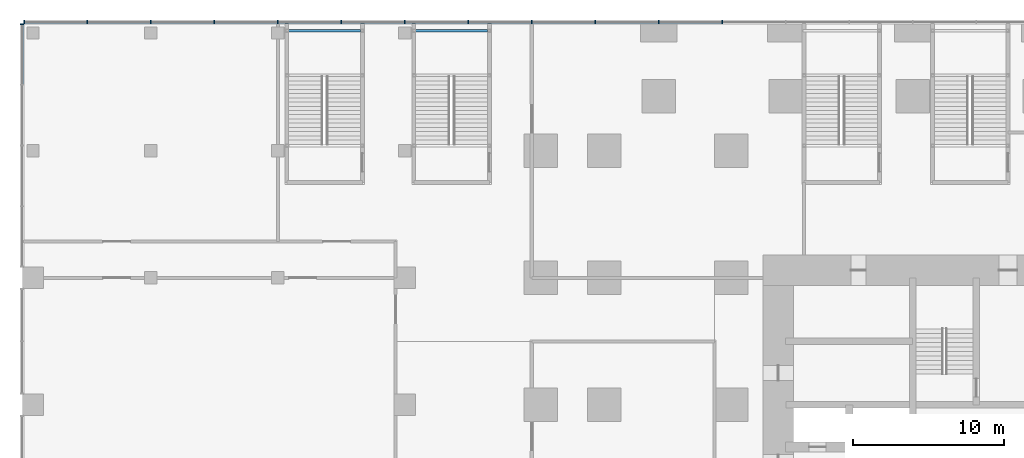
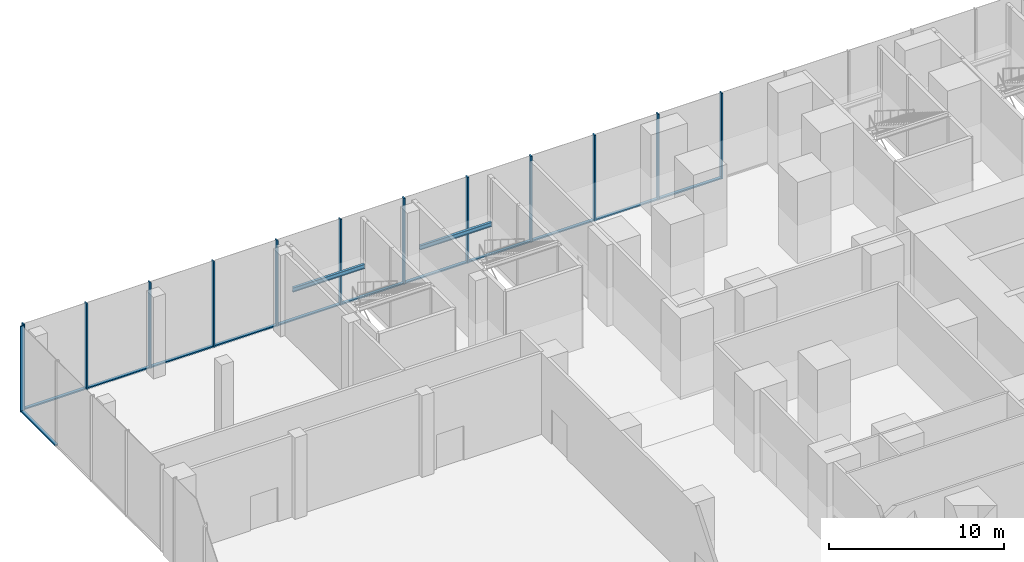
# One storey, part 21 of 32: 25 members, 2 beams, 2 elements without a shape of their own.
"""IFC4 building model written with IfcOpenShell, lengths in metres."""

from ifc_helpers import new_model, si_unit, direction, frame, origin, origin_2d, place, context, subcontext, project, spatial, rectangle, i_section, extrude, material, material_profile, profile_set, type_object, element, aggregate, save


model = new_model("IFC4")

# Units and contexts
model_context = context("Model", 3, precision=1e-05, world=origin(), true_north=direction((0.0, 1.0)))
body_context = subcontext(model_context, "Body", "Model", "MODEL_VIEW")
ifc_project = project(units=[si_unit("LENGTHUNIT", "METRE"), si_unit("AREAUNIT", "SQUARE_METRE"), si_unit("VOLUMEUNIT", "CUBIC_METRE"), si_unit("PLANEANGLEUNIT", "RADIAN"), si_unit("MASSUNIT", "GRAM", prefix="KILO")], contexts=[model_context])

# Site, building, storey
site_placement = place(None, origin())
site = spatial("IfcSite", under=ifc_project, at=site_placement, CompositionType="ELEMENT")
building_placement = place(site_placement, origin())
building = spatial("IfcBuilding", under=site, at=building_placement, Name="Dunama Terrace Hotel", CompositionType="ELEMENT")
storey_placement = place(building_placement, frame((0.0, 0.0, 6.0)))
storey = spatial("IfcBuildingStorey", under=building, at=storey_placement, Name="L01", CompositionType="ELEMENT", Elevation=6.0)

# Curtain wall, members
ifc_material_1 = material(Name="Aluminium curtain wall system", Category="aluminium")
curtain_wall_type = type_object("IfcCurtainWallType", Name="Podium storefront glazing CW-E", PredefinedType="NOTDEFINED", material=ifc_material_1)
curtain_wall_1_placement = place(storey_placement, origin())
curtain_wall_1 = element("IfcCurtainWall", 1, at=curtain_wall_1_placement, inside=storey, type_object=curtain_wall_type, Name="Podium storefront glazing CW-E L01", PredefinedType="NOTDEFINED")
ifc_material_2 = material(Name="Aluminium mullion", Category="aluminium")
ifc_material_profile_1 = material_profile(ifc_material_2, rectangle(XDim=0.080078125, YDim=0.25, at=origin_2d()), Name="CWE MULLION 80X250")
ifc_profile_set_1 = profile_set([ifc_material_profile_1], Name="Aluminium mullion")
member_type_1 = type_object("IfcMemberType", Name="CWE mullion 80x250", PredefinedType="MULLION", material=ifc_profile_set_1)
member_1_placement = place(storey_placement, frame((12.60009765625, 58.925048828125, 0.0), z_axis=(0.0, 0.0, 1.0), x_axis=(-1.0, 0.0, 0.0)))
member_1 = element("IfcMember", 2, at=member_1_placement, type_object=member_type_1, Name="CWE mullion", PredefinedType="MULLION", context=body_context, shape_type="SweptSolid", body=[
    extrude(rectangle(XDim=0.080078125, YDim=0.25, at=origin_2d()), origin(), (0.0, 0.0, 1.0), 6.0),
])
member_2_placement = place(storey_placement, frame((8.39990234375, 58.925048828125, 0.0), z_axis=(0.0, 0.0, 1.0), x_axis=(-1.0, 0.0, 0.0)))
member_2 = element("IfcMember", 3, at=member_2_placement, type_object=member_type_1, Name="CWE mullion", PredefinedType="MULLION", context=body_context, shape_type="SweptSolid", body=[
    extrude(rectangle(XDim=0.080078125, YDim=0.25, at=origin_2d()), origin(), (0.0, 0.0, 1.0), 6.0),
])
member_3_placement = place(storey_placement, frame((4.199951171875, 58.925048828125, 0.0), z_axis=(0.0, 0.0, 1.0), x_axis=(-1.0, 0.0, 0.0)))
member_3 = element("IfcMember", 4, at=member_3_placement, type_object=member_type_1, Name="CWE mullion", PredefinedType="MULLION", context=body_context, shape_type="SweptSolid", body=[
    extrude(rectangle(XDim=0.080078125, YDim=0.25, at=origin_2d()), origin(), (0.0, 0.0, 1.0), 6.0),
])
member_4_placement = place(storey_placement, frame((0.0, 58.925048828125, 0.0), z_axis=(0.0, 0.0, 1.0), x_axis=(-1.0, 0.0, 0.0)))
member_4 = element("IfcMember", 5, at=member_4_placement, type_object=member_type_1, Name="CWE mullion", PredefinedType="MULLION", context=body_context, shape_type="SweptSolid", body=[
    extrude(rectangle(XDim=0.080078125, YDim=0.25, at=origin_2d()), origin(), (0.0, 0.0, 1.0), 6.0),
])
member_5_placement = place(storey_placement, frame((-4.199951171875, 58.925048828125, 0.0), z_axis=(0.0, 0.0, 1.0), x_axis=(-1.0, 0.0, 0.0)))
member_5 = element("IfcMember", 6, at=member_5_placement, type_object=member_type_1, Name="CWE mullion", PredefinedType="MULLION", context=body_context, shape_type="SweptSolid", body=[
    extrude(rectangle(XDim=0.080078125, YDim=0.25, at=origin_2d()), origin(), (0.0, 0.0, 1.0), 6.0),
])
member_6_placement = place(storey_placement, frame((-8.39990234375, 58.925048828125, 0.0), z_axis=(0.0, 0.0, 1.0), x_axis=(-1.0, 0.0, 0.0)))
member_6 = element("IfcMember", 7, at=member_6_placement, type_object=member_type_1, Name="CWE mullion", PredefinedType="MULLION", context=body_context, shape_type="SweptSolid", body=[
    extrude(rectangle(XDim=0.080078125, YDim=0.25, at=origin_2d()), origin(), (0.0, 0.0, 1.0), 6.0),
])
member_7_placement = place(storey_placement, frame((-12.60009765625, 58.925048828125, 0.0), z_axis=(0.0, 0.0, 1.0), x_axis=(-1.0, 0.0, 0.0)))
member_7 = element("IfcMember", 8, at=member_7_placement, type_object=member_type_1, Name="CWE mullion", PredefinedType="MULLION", context=body_context, shape_type="SweptSolid", body=[
    extrude(rectangle(XDim=0.080078125, YDim=0.25, at=origin_2d()), origin(), (0.0, 0.0, 1.0), 6.0),
])
member_8_placement = place(storey_placement, frame((-16.800048828125, 58.925048828125, 0.0), z_axis=(0.0, 0.0, 1.0), x_axis=(-1.0, 0.0, 0.0)))
member_8 = element("IfcMember", 9, at=member_8_placement, type_object=member_type_1, Name="CWE mullion", PredefinedType="MULLION", context=body_context, shape_type="SweptSolid", body=[
    extrude(rectangle(XDim=0.080078125, YDim=0.25, at=origin_2d()), origin(), (0.0, 0.0, 1.0), 6.0),
])
member_9_placement = place(storey_placement, frame((-21.0, 58.925048828125, 0.0), z_axis=(0.0, 0.0, 1.0), x_axis=(-1.0, 0.0, 0.0)))
member_9 = element("IfcMember", 10, at=member_9_placement, type_object=member_type_1, Name="CWE mullion", PredefinedType="MULLION", context=body_context, shape_type="SweptSolid", body=[
    extrude(rectangle(XDim=0.080078125, YDim=0.25, at=origin_2d()), origin(), (0.0, 0.0, 1.0), 6.0),
])
member_10_placement = place(storey_placement, frame((-25.199951171875, 58.925048828125, 0.0), z_axis=(0.0, 0.0, 1.0), x_axis=(-1.0, 0.0, 0.0)))
member_10 = element("IfcMember", 11, at=member_10_placement, type_object=member_type_1, Name="CWE mullion", PredefinedType="MULLION", context=body_context, shape_type="SweptSolid", body=[
    extrude(rectangle(XDim=0.080078125, YDim=0.25, at=origin_2d()), origin(), (0.0, 0.0, 1.0), 6.0),
])
member_11_placement = place(storey_placement, frame((-29.39990234375, 58.925048828125, 0.0), z_axis=(0.0, 0.0, 1.0), x_axis=(-1.0, 0.0, 0.0)))
member_11 = element("IfcMember", 12, at=member_11_placement, type_object=member_type_1, Name="CWE mullion", PredefinedType="MULLION", context=body_context, shape_type="SweptSolid", body=[
    extrude(rectangle(XDim=0.080078125, YDim=0.25, at=origin_2d()), origin(), (0.0, 0.0, 1.0), 6.0),
])
member_12_placement = place(storey_placement, frame((-33.56005859375, 58.925048828125, 0.0), z_axis=(0.0, 0.0, 1.0), x_axis=(-1.0, 0.0, 0.0)))
member_12 = element("IfcMember", 13, at=member_12_placement, type_object=member_type_1, Name="CWE mullion", PredefinedType="MULLION", context=body_context, shape_type="SweptSolid", body=[
    extrude(rectangle(XDim=0.080078125, YDim=0.25, at=origin_2d()), origin(), (0.0, 0.0, 1.0), 6.0),
])

# Curtain wall, member
curtain_wall_2_placement = place(storey_placement, origin())
curtain_wall_2 = element("IfcCurtainWall", 14, at=curtain_wall_2_placement, inside=storey, type_object=curtain_wall_type, Name="Podium storefront glazing CW-E L01", PredefinedType="NOTDEFINED")
member_13_placement = place(storey_placement, frame((-33.72509765625, 58.760009765625, 0.0), z_axis=(0.0, 0.0, 1.0), x_axis=(0.0, -1.0, 0.0)))
member_13 = element("IfcMember", 15, at=member_13_placement, type_object=member_type_1, Name="CWE mullion", PredefinedType="MULLION", context=body_context, shape_type="SweptSolid", body=[
    extrude(rectangle(XDim=0.080078125, YDim=0.25, at=origin_2d()), origin(), (0.0, 0.0, 1.0), 6.0),
])

# Member
ifc_material_3 = material(Name="Aluminium transom", Category="aluminium")
ifc_material_profile_2 = material_profile(ifc_material_3, rectangle(XDim=0.199951171875, YDim=0.090087890625, at=origin_2d()), Name="CWE TRANSOM 200X90")
ifc_profile_set_2 = profile_set([ifc_material_profile_2], Name="Aluminium transom")
member_type_2 = type_object("IfcMemberType", Name="CWE transom 200x90", PredefinedType="USERDEFINED", material=ifc_profile_set_2)
member_14_placement = place(storey_placement, frame((12.56005859375, 58.925048828125, 0.044921875), z_axis=(-1.0, 0.0, 0.0), x_axis=(0.0, -1.0, 0.0)))
member_14 = element("IfcMember", 16, at=member_14_placement, type_object=member_type_2, Name="CWE transom", ObjectType="TRANSOM", PredefinedType="USERDEFINED", context=body_context, shape_type="SweptSolid", body=[
    extrude(rectangle(XDim=0.199951171875, YDim=0.090087890625, at=origin_2d()), origin(), (0.0, 0.0, 1.0), 4.1201171875),
])

member_15_placement = place(storey_placement, frame((8.360107421875, 58.925048828125, 0.044921875), z_axis=(-1.0, 0.0, 0.0), x_axis=(0.0, -1.0, 0.0)))
member_15 = element("IfcMember", 17, at=member_15_placement, type_object=member_type_2, Name="CWE transom", ObjectType="TRANSOM", PredefinedType="USERDEFINED", context=body_context, shape_type="SweptSolid", body=[
    extrude(rectangle(XDim=0.199951171875, YDim=0.090087890625, at=origin_2d()), origin(), (0.0, 0.0, 1.0), 4.1201171875),
])

member_16_placement = place(storey_placement, frame((4.159912109375, 58.925048828125, 0.044921875), z_axis=(-1.0, 0.0, 0.0), x_axis=(0.0, -1.0, 0.0)))
member_16 = element("IfcMember", 18, at=member_16_placement, type_object=member_type_2, Name="CWE transom", ObjectType="TRANSOM", PredefinedType="USERDEFINED", context=body_context, shape_type="SweptSolid", body=[
    extrude(rectangle(XDim=0.199951171875, YDim=0.090087890625, at=origin_2d()), origin(), (0.0, 0.0, 1.0), 4.119873046875),
])

member_17_placement = place(storey_placement, frame((-0.0400390625, 58.925048828125, 0.044921875), z_axis=(-1.0, 0.0, 0.0), x_axis=(0.0, -1.0, 0.0)))
member_17 = element("IfcMember", 19, at=member_17_placement, type_object=member_type_2, Name="CWE transom", ObjectType="TRANSOM", PredefinedType="USERDEFINED", context=body_context, shape_type="SweptSolid", body=[
    extrude(rectangle(XDim=0.199951171875, YDim=0.090087890625, at=origin_2d()), origin(), (0.0, 0.0, 1.0), 4.119873046875),
])

member_18_placement = place(storey_placement, frame((-4.239990234375, 58.925048828125, 0.044921875), z_axis=(-1.0, 0.0, 0.0), x_axis=(0.0, -1.0, 0.0)))
member_18 = element("IfcMember", 20, at=member_18_placement, type_object=member_type_2, Name="CWE transom", ObjectType="TRANSOM", PredefinedType="USERDEFINED", context=body_context, shape_type="SweptSolid", body=[
    extrude(rectangle(XDim=0.199951171875, YDim=0.090087890625, at=origin_2d()), origin(), (0.0, 0.0, 1.0), 4.1201171875),
])

member_19_placement = place(storey_placement, frame((-8.43994140625, 58.925048828125, 0.044921875), z_axis=(-1.0, 0.0, 0.0), x_axis=(0.0, -1.0, 0.0)))
member_19 = element("IfcMember", 21, at=member_19_placement, type_object=member_type_2, Name="CWE transom", ObjectType="TRANSOM", PredefinedType="USERDEFINED", context=body_context, shape_type="SweptSolid", body=[
    extrude(rectangle(XDim=0.199951171875, YDim=0.090087890625, at=origin_2d()), origin(), (0.0, 0.0, 1.0), 4.1201171875),
])

member_20_placement = place(storey_placement, frame((-12.639892578125, 58.925048828125, 0.044921875), z_axis=(-1.0, 0.0, 0.0), x_axis=(0.0, -1.0, 0.0)))
member_20 = element("IfcMember", 22, at=member_20_placement, type_object=member_type_2, Name="CWE transom", ObjectType="TRANSOM", PredefinedType="USERDEFINED", context=body_context, shape_type="SweptSolid", body=[
    extrude(rectangle(XDim=0.199951171875, YDim=0.090087890625, at=origin_2d()), origin(), (0.0, 0.0, 1.0), 4.1201171875),
])

member_21_placement = place(storey_placement, frame((-16.840087890625, 58.925048828125, 0.044921875), z_axis=(-1.0, 0.0, 0.0), x_axis=(0.0, -1.0, 0.0)))
member_21 = element("IfcMember", 23, at=member_21_placement, type_object=member_type_2, Name="CWE transom", ObjectType="TRANSOM", PredefinedType="USERDEFINED", context=body_context, shape_type="SweptSolid", body=[
    extrude(rectangle(XDim=0.199951171875, YDim=0.090087890625, at=origin_2d()), origin(), (0.0, 0.0, 1.0), 4.119873046875),
])

member_22_placement = place(storey_placement, frame((-21.0400390625, 58.925048828125, 0.044921875), z_axis=(-1.0, 0.0, 0.0), x_axis=(0.0, -1.0, 0.0)))
member_22 = element("IfcMember", 24, at=member_22_placement, type_object=member_type_2, Name="CWE transom", ObjectType="TRANSOM", PredefinedType="USERDEFINED", context=body_context, shape_type="SweptSolid", body=[
    extrude(rectangle(XDim=0.199951171875, YDim=0.090087890625, at=origin_2d()), origin(), (0.0, 0.0, 1.0), 4.119873046875),
])

member_23_placement = place(storey_placement, frame((-25.239990234375, 58.925048828125, 0.044921875), z_axis=(-1.0, 0.0, 0.0), x_axis=(0.0, -1.0, 0.0)))
member_23 = element("IfcMember", 25, at=member_23_placement, type_object=member_type_2, Name="CWE transom", ObjectType="TRANSOM", PredefinedType="USERDEFINED", context=body_context, shape_type="SweptSolid", body=[
    extrude(rectangle(XDim=0.199951171875, YDim=0.090087890625, at=origin_2d()), origin(), (0.0, 0.0, 1.0), 4.1201171875),
])

member_24_placement = place(storey_placement, frame((-29.43994140625, 58.925048828125, 0.044921875), z_axis=(-1.0, 0.0, 0.0), x_axis=(0.0, -1.0, 0.0)))
member_24 = element("IfcMember", 26, at=member_24_placement, type_object=member_type_2, Name="CWE transom", ObjectType="TRANSOM", PredefinedType="USERDEFINED", context=body_context, shape_type="SweptSolid", body=[
    extrude(rectangle(XDim=0.199951171875, YDim=0.090087890625, at=origin_2d()), origin(), (0.0, 0.0, 1.0), 4.080078125),
])

aggregate(curtain_wall_1, [member_1, member_2, member_3, member_4, member_5, member_6, member_7, member_8, member_9, member_10, member_11, member_12, member_14, member_15, member_16, member_17, member_18, member_19, member_20, member_21, member_22, member_23, member_24])

member_25_placement = place(storey_placement, frame((-33.72509765625, 58.719970703125, 0.044921875), z_axis=(0.0, -1.0, 0.0), x_axis=(1.0, 0.0, 0.0)))
member_25 = element("IfcMember", 27, at=member_25_placement, type_object=member_type_2, Name="CWE transom", ObjectType="TRANSOM", PredefinedType="USERDEFINED", context=body_context, shape_type="SweptSolid", body=[
    extrude(rectangle(XDim=0.199951171875, YDim=0.090087890625, at=origin_2d()), origin(), (0.0, 0.0, 1.0), 3.905029296875),
])

aggregate(curtain_wall_2, [member_13, member_25])

# Beams
ifc_material_4 = material(Name="Steel S355", Category="steel")
ifc_material_profile_3 = material_profile(ifc_material_4, i_section(OverallWidth=0.1650390625, OverallDepth=0.303466796875, WebThickness=0.006103515625, FlangeThickness=0.01025390625, FilletRadius=0.0087890625, at=origin_2d()), Name="UB 305x165x40")
ifc_profile_set_3 = profile_set([ifc_material_profile_3], Name="Steel S355")
beam_type = type_object("IfcBeamType", Name="Stair beam UB 305x165x40", PredefinedType="BEAM", material=ifc_profile_set_3)
for number, where, z_axis, x_axis, name in (
    (28, (-16.074951171875, 58.35009765625, 2.598388671875), (1.0, 0.0, 0.0), (0.0, 1.0, 0.0), "Stair landing beam P1 L01 far"),
    (29, (-7.675048828125, 58.35009765625, 2.598388671875), (1.0, 0.0, 0.0), (0.0, 1.0, 0.0), "Stair landing beam P3 L01 far"),
):
    element("IfcBeam", number, at=place(storey_placement, frame(where, z_axis=z_axis, x_axis=x_axis)), inside=storey, type_object=beam_type, Name=name, PredefinedType="BEAM", context=body_context, shape_type="SweptSolid", body=[
        extrude(i_section(OverallWidth=0.1650390625, OverallDepth=0.303466796875, WebThickness=0.006103515625, FlangeThickness=0.01025390625, FilletRadius=0.0087890625, at=origin_2d()), origin(), (0.0, 0.0, 1.0), 4.75),
    ])

save(model, "model.ifc")
